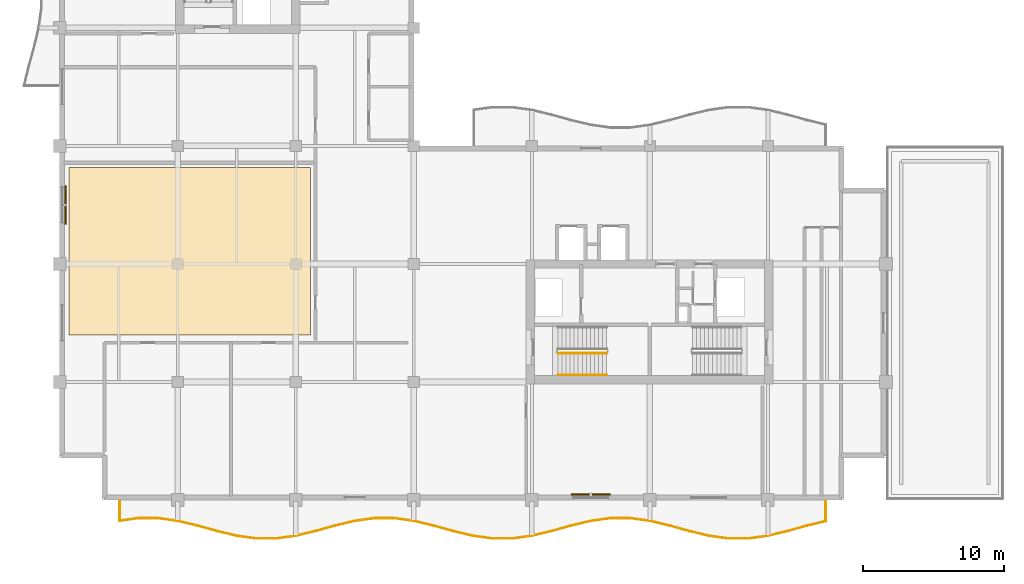
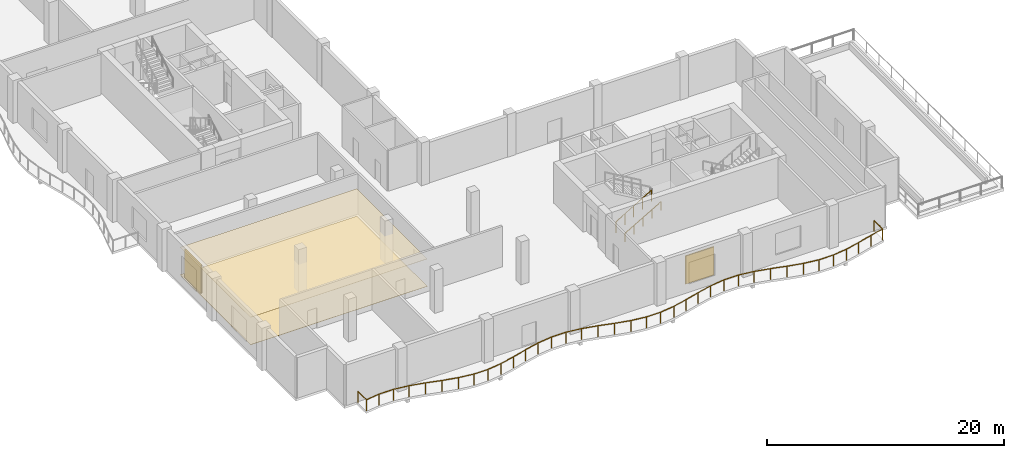
# One storey, part 12 of 16: 3 railings, 2 coverings, 2 shading devices.
"""IFC4 building model written with IfcOpenShell, lengths in metres."""

from ifc_helpers import new_model, si_unit, direction, frame, origin, origin_2d, place, context, subcontext, project, spatial, polyline, rectangle, circle, outline, extrude, material, layer, layer_set, type_object, element, save


model = new_model("IFC4")

# Units and contexts
model_context = context("Model", 3, precision=1e-05, world=origin(), true_north=direction((0.0, 1.0)))
body_context = subcontext(model_context, "Body", "Model", "MODEL_VIEW")
ifc_project = project(units=[si_unit("LENGTHUNIT", "METRE"), si_unit("AREAUNIT", "SQUARE_METRE"), si_unit("VOLUMEUNIT", "CUBIC_METRE"), si_unit("PLANEANGLEUNIT", "RADIAN"), si_unit("MASSUNIT", "GRAM", prefix="KILO")], contexts=[model_context])

# Site, building, storey
site_placement = place(None, origin())
site = spatial("IfcSite", under=ifc_project, at=site_placement, CompositionType="ELEMENT")
building_placement = place(site_placement, origin())
building = spatial("IfcBuilding", under=site, at=building_placement, Name="Koriwani Terraces Tower", CompositionType="ELEMENT")
storey_placement = place(building_placement, frame((0.0, 0.0, 286.0)))
storey = spatial("IfcBuildingStorey", under=building, at=storey_placement, Name="L71", CompositionType="ELEMENT", Elevation=286.0)

# Coverings
ifc_material_1 = material(Name="Fire-Rated Acoustic Gypsum Partition", Category="masonry")
ifc_layer_1 = layer(ifc_material_1, 0.02490234375, Name="Fire-Rated Acoustic Gypsum Partition")
ifc_layer_set_1 = layer_set([ifc_layer_1], Name="Fire-Rated Acoustic Gypsum Partition")
covering_type_1 = type_object("IfcCoveringType", Name="CEILING_ACOUSTIC_GYPSUM", PredefinedType="CEILING", material=ifc_layer_set_1)
covering_1_placement = place(storey_placement, frame((0.0, 0.0, 2.824951171875)))
element("IfcCovering", 1, at=covering_1_placement, inside=storey, type_object=covering_type_1, Name="L71 Suspended Acoustic Gypsum Ceiling", PredefinedType="CEILING", context=body_context, shape_type="SweptSolid", body=[
    extrude(outline(polyline([(9.050048828125, 20.14990234375), (9.050048828125, 32.050048828125), (26.25, 32.050048828125), (26.25, 20.14990234375), (9.050048828125, 20.14990234375)])), origin(), (0.0, 0.0, 1.0), 0.025146484375),
])
ifc_material_2 = material(Name="Polished Andean Slate Flooring", Category="masonry")
ifc_layer_2 = layer(ifc_material_2, 0.030029296875, Name="Polished Andean Slate Flooring")
ifc_layer_set_2 = layer_set([ifc_layer_2], Name="Polished Andean Slate Flooring")
covering_type_2 = type_object("IfcCoveringType", Name="FLOORING_ANDEAN_STONE", PredefinedType="FLOORING", material=ifc_layer_set_2)
covering_2_placement = place(storey_placement, origin())
element("IfcCovering", 2, at=covering_2_placement, inside=storey, type_object=covering_type_2, Name="L71 Polished Andean Slate Floor Finish", PredefinedType="FLOORING", context=body_context, shape_type="SweptSolid", body=[
    extrude(outline(polyline([(9.050048828125, 20.14990234375), (9.050048828125, 32.050048828125), (26.25, 32.050048828125), (26.25, 20.14990234375), (9.050048828125, 20.14990234375)])), origin(), (0.0, 0.0, 1.0), 0.030029296875),
])

# Railings
ifc_material_3 = material(Name="Steel ASTM A572 Grade 50", Category="steel")
railing_type_1 = type_object("IfcRailingType", Name="GUARD_BALUSTRADE_1150", PredefinedType="BALUSTRADE", material=ifc_material_3)
railing_1_placement = place(storey_placement, frame((12.679931640625, 8.320068359375, 0.0)))
element("IfcRailing", 3, at=railing_1_placement, inside=storey, type_object=railing_type_1, Name="L71 Balcony Perimeter Safety Balustrade (S)", PredefinedType="BALUSTRADE", context=body_context, shape_type="SweptSolid", body=[
    extrude(circle(Radius=0.02392578125, at=origin_2d()), frame((0.0, 0.0, 1.1259765625), z_axis=(0.0, -1.0, 0.0), x_axis=(1.0, 0.0, 0.0)), (0.0, 0.0, 1.0), 1.39794921875),
    extrude(circle(Radius=0.02392578125, at=origin_2d()), frame((0.0, -1.39794921875, 1.1259765625), z_axis=(0.99056178386, 0.137066963034, 0.0), x_axis=(-0.137066963034, 0.99056178386, 0.0)), (0.0, 0.0, 1.0), 1.326904296875),
    extrude(circle(Radius=0.02392578125, at=origin_2d()), frame((1.314453125, -1.216064453125, 1.1259765625), z_axis=(1.0, 0.0, 0.0), x_axis=(0.0, 1.0, 0.0)), (0.0, 0.0, 1.0), 1.4111328125),
    extrude(circle(Radius=0.02392578125, at=origin_2d()), frame((2.7255859375, -1.216064453125, 1.1259765625), z_axis=(0.990531206111, -0.137287762455, 0.0), x_axis=(0.137287762455, 0.990531206111, 0.0)), (0.0, 0.0, 1.0), 1.422607421875),
    extrude(circle(Radius=0.02392578125, at=origin_2d()), frame((4.134765625, -1.411376953125, 1.1259765625), z_axis=(0.972404167631, -0.233302667738, 0.0), x_axis=(0.233302667738, 0.972404167631, 0.0)), (0.0, 0.0, 1.0), 1.445068359375),
    extrude(circle(Radius=0.02392578125, at=origin_2d()), frame((5.5400390625, -1.74853515625, 1.1259765625), z_axis=(0.963650193341, -0.26716718525, 0.0), x_axis=(0.26716718525, 0.963650193341, 0.0)), (0.0, 0.0, 1.0), 1.452880859375),
    extrude(circle(Radius=0.02392578125, at=origin_2d()), frame((6.940185546875, -2.13671875, 1.1259765625), z_axis=(0.972353303141, -0.233514568862, 0.0), x_axis=(0.233514568862, 0.972353303141, 0.0)), (0.0, 0.0, 1.0), 1.434326171875),
    extrude(circle(Radius=0.02392578125, at=origin_2d()), frame((8.3349609375, -2.4716796875, 1.1259765625), z_axis=(0.990518583157, -0.137378806302, 0.0), x_axis=(0.137378806302, 0.990518583157, 0.0)), (0.0, 0.0, 1.0), 1.404052734375),
    extrude(circle(Radius=0.02392578125, at=origin_2d()), frame((9.7255859375, -2.66455078125, 1.1259765625), z_axis=(1.0, 0.0, 0.0), x_axis=(0.0, 1.0, 0.0)), (0.0, 0.0, 1.0), 1.388916015625),
    extrude(circle(Radius=0.02392578125, at=origin_2d()), frame((11.114501953125, -2.66455078125, 1.1259765625), z_axis=(0.990518583157, 0.137378806302, 0.0), x_axis=(-0.137378806302, 0.990518583157, 0.0)), (0.0, 0.0, 1.0), 1.404052734375),
    extrude(circle(Radius=0.02392578125, at=origin_2d()), frame((12.505126953125, -2.4716796875, 1.1259765625), z_axis=(0.972362581689, 0.23347592966, 0.0), x_axis=(-0.23347592966, 0.972362581689, 0.0)), (0.0, 0.0, 1.0), 1.4345703125),
    extrude(circle(Radius=0.02392578125, at=origin_2d()), frame((13.900146484375, -2.13671875, 1.1259765625), z_axis=(0.963638196753, 0.267210452187, 0.0), x_axis=(-0.267210452187, 0.963638196753, 0.0)), (0.0, 0.0, 1.0), 1.45263671875),
    extrude(circle(Radius=0.02392578125, at=origin_2d()), frame((15.300048828125, -1.74853515625, 1.1259765625), z_axis=(0.972404167631, 0.233302667738, 0.0), x_axis=(-0.233302667738, 0.972404167631, 0.0)), (0.0, 0.0, 1.0), 1.445068359375),
    extrude(circle(Radius=0.02392578125, at=origin_2d()), frame((16.705322265625, -1.411376953125, 1.1259765625), z_axis=(0.990531206111, 0.137287762455, 0.0), x_axis=(-0.137287762455, 0.990531206111, 0.0)), (0.0, 0.0, 1.0), 1.422607421875),
    extrude(circle(Radius=0.02392578125, at=origin_2d()), frame((18.114501953125, -1.216064453125, 1.1259765625), z_axis=(1.0, 0.0, 0.0), x_axis=(0.0, 1.0, 0.0)), (0.0, 0.0, 1.0), 1.4111328125),
    extrude(circle(Radius=0.02392578125, at=origin_2d()), frame((19.525634765625, -1.216064453125, 1.1259765625), z_axis=(0.990531206111, -0.137287762455, 0.0), x_axis=(0.137287762455, 0.990531206111, 0.0)), (0.0, 0.0, 1.0), 1.422607421875),
    extrude(circle(Radius=0.02392578125, at=origin_2d()), frame((20.934814453125, -1.411376953125, 1.1259765625), z_axis=(0.972404167631, -0.233302667738, 0.0), x_axis=(0.233302667738, 0.972404167631, 0.0)), (0.0, 0.0, 1.0), 1.445068359375),
    extrude(circle(Radius=0.02392578125, at=origin_2d()), frame((22.340087890625, -1.74853515625, 1.1259765625), z_axis=(0.963638196753, -0.267210452187, 0.0), x_axis=(0.267210452187, 0.963638196753, 0.0)), (0.0, 0.0, 1.0), 1.45263671875),
    extrude(circle(Radius=0.02392578125, at=origin_2d()), frame((23.739990234375, -2.13671875, 1.1259765625), z_axis=(0.972362581689, -0.23347592966, 0.0), x_axis=(0.23347592966, 0.972362581689, 0.0)), (0.0, 0.0, 1.0), 1.4345703125),
    extrude(circle(Radius=0.02392578125, at=origin_2d()), frame((25.135009765625, -2.4716796875, 1.1259765625), z_axis=(0.990518583157, -0.137378806302, 0.0), x_axis=(0.137378806302, 0.990518583157, 0.0)), (0.0, 0.0, 1.0), 1.404052734375),
    extrude(circle(Radius=0.02392578125, at=origin_2d()), frame((26.525634765625, -2.66455078125, 1.1259765625), z_axis=(1.0, 0.0, 0.0), x_axis=(0.0, 1.0, 0.0)), (0.0, 0.0, 1.0), 1.388916015625),
    extrude(circle(Radius=0.02392578125, at=origin_2d()), frame((27.91455078125, -2.66455078125, 1.1259765625), z_axis=(0.990518583157, 0.137378806302, 0.0), x_axis=(-0.137378806302, 0.990518583157, 0.0)), (0.0, 0.0, 1.0), 1.404052734375),
    extrude(circle(Radius=0.02392578125, at=origin_2d()), frame((29.30517578125, -2.4716796875, 1.1259765625), z_axis=(0.972353303141, 0.233514568862, 0.0), x_axis=(-0.233514568862, 0.972353303141, 0.0)), (0.0, 0.0, 1.0), 1.434326171875),
    extrude(circle(Radius=0.02392578125, at=origin_2d()), frame((30.699951171875, -2.13671875, 1.1259765625), z_axis=(0.963650193341, 0.26716718525, 0.0), x_axis=(-0.26716718525, 0.963650193341, 0.0)), (0.0, 0.0, 1.0), 1.452880859375),
    extrude(circle(Radius=0.02392578125, at=origin_2d()), frame((32.10009765625, -1.74853515625, 1.1259765625), z_axis=(0.972404167631, 0.233302667738, 0.0), x_axis=(-0.233302667738, 0.972404167631, 0.0)), (0.0, 0.0, 1.0), 1.445068359375),
    extrude(circle(Radius=0.02392578125, at=origin_2d()), frame((33.50537109375, -1.411376953125, 1.1259765625), z_axis=(0.990531206111, 0.137287762455, 0.0), x_axis=(-0.137287762455, 0.990531206111, 0.0)), (0.0, 0.0, 1.0), 1.422607421875),
    extrude(circle(Radius=0.02392578125, at=origin_2d()), frame((34.91455078125, -1.216064453125, 1.1259765625), z_axis=(1.0, 0.0, 0.0), x_axis=(0.0, 1.0, 0.0)), (0.0, 0.0, 1.0), 1.4111328125),
    extrude(circle(Radius=0.02392578125, at=origin_2d()), frame((36.32568359375, -1.216064453125, 1.1259765625), z_axis=(0.990531206111, -0.137287762455, 0.0), x_axis=(0.137287762455, 0.990531206111, 0.0)), (0.0, 0.0, 1.0), 1.422607421875),
    extrude(circle(Radius=0.02392578125, at=origin_2d()), frame((37.73486328125, -1.411376953125, 1.1259765625), z_axis=(0.972404167631, -0.233302667738, 0.0), x_axis=(0.233302667738, 0.972404167631, 0.0)), (0.0, 0.0, 1.0), 1.445068359375),
    extrude(circle(Radius=0.02392578125, at=origin_2d()), frame((39.14013671875, -1.74853515625, 1.1259765625), z_axis=(0.963638196753, -0.267210452187, 0.0), x_axis=(0.267210452187, 0.963638196753, 0.0)), (0.0, 0.0, 1.0), 1.45263671875),
    extrude(circle(Radius=0.02392578125, at=origin_2d()), frame((40.5400390625, -2.13671875, 1.1259765625), z_axis=(0.972362581689, -0.23347592966, 0.0), x_axis=(0.23347592966, 0.972362581689, 0.0)), (0.0, 0.0, 1.0), 1.4345703125),
    extrude(circle(Radius=0.02392578125, at=origin_2d()), frame((41.93505859375, -2.4716796875, 1.1259765625), z_axis=(0.990518583157, -0.137378806302, 0.0), x_axis=(0.137378806302, 0.990518583157, 0.0)), (0.0, 0.0, 1.0), 1.404052734375),
    extrude(circle(Radius=0.02392578125, at=origin_2d()), frame((43.32568359375, -2.66455078125, 1.1259765625), z_axis=(1.0, 0.0, 0.0), x_axis=(0.0, 1.0, 0.0)), (0.0, 0.0, 1.0), 1.388916015625),
    extrude(circle(Radius=0.02392578125, at=origin_2d()), frame((44.714599609375, -2.66455078125, 1.1259765625), z_axis=(0.990518583157, 0.137378806302, 0.0), x_axis=(-0.137378806302, 0.990518583157, 0.0)), (0.0, 0.0, 1.0), 1.404052734375),
    extrude(circle(Radius=0.02392578125, at=origin_2d()), frame((46.105224609375, -2.4716796875, 1.1259765625), z_axis=(0.972353303141, 0.233514568862, 0.0), x_axis=(-0.233514568862, 0.972353303141, 0.0)), (0.0, 0.0, 1.0), 1.434326171875),
    extrude(circle(Radius=0.02392578125, at=origin_2d()), frame((47.5, -2.13671875, 1.1259765625), z_axis=(0.963650193341, 0.26716718525, 0.0), x_axis=(-0.26716718525, 0.963650193341, 0.0)), (0.0, 0.0, 1.0), 1.452880859375),
    extrude(circle(Radius=0.02392578125, at=origin_2d()), frame((48.900146484375, -1.74853515625, 1.1259765625), z_axis=(0.972351908849, 0.233520374611, 0.0), x_axis=(-0.233520374611, 0.972351908849, 0.0)), (0.0, 0.0, 1.0), 1.3779296875),
    extrude(circle(Radius=0.02392578125, at=origin_2d()), frame((50.239990234375, -1.4267578125, 1.1259765625), z_axis=(0.0, 1.0, 0.0), x_axis=(-1.0, 0.0, 0.0)), (0.0, 0.0, 1.0), 1.4267578125),
    extrude(circle(Radius=0.02099609375, at=origin_2d()), origin(), (0.0, 0.0, 1.0), 1.101806640625),
    extrude(circle(Radius=0.02099609375, at=origin_2d()), frame((0.0, -1.39794921875, 0.0)), (0.0, 0.0, 1.0), 1.101806640625),
    extrude(circle(Radius=0.02099609375, at=origin_2d()), frame((1.314453125, -1.216064453125, 0.0)), (0.0, 0.0, 1.0), 1.101806640625),
    extrude(circle(Radius=0.02099609375, at=origin_2d()), frame((2.7255859375, -1.216064453125, 0.0)), (0.0, 0.0, 1.0), 1.101806640625),
    extrude(circle(Radius=0.02099609375, at=origin_2d()), frame((4.134765625, -1.411376953125, 0.0)), (0.0, 0.0, 1.0), 1.101806640625),
    extrude(circle(Radius=0.02099609375, at=origin_2d()), frame((5.5400390625, -1.74853515625, 0.0)), (0.0, 0.0, 1.0), 1.101806640625),
    extrude(circle(Radius=0.02099609375, at=origin_2d()), frame((6.940185546875, -2.13671875, 0.0)), (0.0, 0.0, 1.0), 1.101806640625),
    extrude(circle(Radius=0.02099609375, at=origin_2d()), frame((8.3349609375, -2.4716796875, 0.0)), (0.0, 0.0, 1.0), 1.101806640625),
    extrude(circle(Radius=0.02099609375, at=origin_2d()), frame((9.7255859375, -2.66455078125, 0.0)), (0.0, 0.0, 1.0), 1.101806640625),
    extrude(circle(Radius=0.02099609375, at=origin_2d()), frame((11.114501953125, -2.66455078125, 0.0)), (0.0, 0.0, 1.0), 1.101806640625),
    extrude(circle(Radius=0.02099609375, at=origin_2d()), frame((12.505126953125, -2.4716796875, 0.0)), (0.0, 0.0, 1.0), 1.101806640625),
    extrude(circle(Radius=0.02099609375, at=origin_2d()), frame((13.900146484375, -2.13671875, 0.0)), (0.0, 0.0, 1.0), 1.101806640625),
    extrude(circle(Radius=0.02099609375, at=origin_2d()), frame((15.300048828125, -1.74853515625, 0.0)), (0.0, 0.0, 1.0), 1.101806640625),
    extrude(circle(Radius=0.02099609375, at=origin_2d()), frame((16.705322265625, -1.411376953125, 0.0)), (0.0, 0.0, 1.0), 1.101806640625),
    extrude(circle(Radius=0.02099609375, at=origin_2d()), frame((18.114501953125, -1.216064453125, 0.0)), (0.0, 0.0, 1.0), 1.101806640625),
    extrude(circle(Radius=0.02099609375, at=origin_2d()), frame((19.525634765625, -1.216064453125, 0.0)), (0.0, 0.0, 1.0), 1.101806640625),
    extrude(circle(Radius=0.02099609375, at=origin_2d()), frame((20.934814453125, -1.411376953125, 0.0)), (0.0, 0.0, 1.0), 1.101806640625),
    extrude(circle(Radius=0.02099609375, at=origin_2d()), frame((22.340087890625, -1.74853515625, 0.0)), (0.0, 0.0, 1.0), 1.101806640625),
    extrude(circle(Radius=0.02099609375, at=origin_2d()), frame((23.739990234375, -2.13671875, 0.0)), (0.0, 0.0, 1.0), 1.101806640625),
    extrude(circle(Radius=0.02099609375, at=origin_2d()), frame((25.135009765625, -2.4716796875, 0.0)), (0.0, 0.0, 1.0), 1.101806640625),
    extrude(circle(Radius=0.02099609375, at=origin_2d()), frame((26.525634765625, -2.66455078125, 0.0)), (0.0, 0.0, 1.0), 1.101806640625),
    extrude(circle(Radius=0.02099609375, at=origin_2d()), frame((27.91455078125, -2.66455078125, 0.0)), (0.0, 0.0, 1.0), 1.101806640625),
    extrude(circle(Radius=0.02099609375, at=origin_2d()), frame((29.30517578125, -2.4716796875, 0.0)), (0.0, 0.0, 1.0), 1.101806640625),
    extrude(circle(Radius=0.02099609375, at=origin_2d()), frame((30.699951171875, -2.13671875, 0.0)), (0.0, 0.0, 1.0), 1.101806640625),
    extrude(circle(Radius=0.02099609375, at=origin_2d()), frame((32.10009765625, -1.74853515625, 0.0)), (0.0, 0.0, 1.0), 1.101806640625),
    extrude(circle(Radius=0.02099609375, at=origin_2d()), frame((33.50537109375, -1.411376953125, 0.0)), (0.0, 0.0, 1.0), 1.101806640625),
    extrude(circle(Radius=0.02099609375, at=origin_2d()), frame((34.91455078125, -1.216064453125, 0.0)), (0.0, 0.0, 1.0), 1.101806640625),
    extrude(circle(Radius=0.02099609375, at=origin_2d()), frame((36.32568359375, -1.216064453125, 0.0)), (0.0, 0.0, 1.0), 1.101806640625),
    extrude(circle(Radius=0.02099609375, at=origin_2d()), frame((37.73486328125, -1.411376953125, 0.0)), (0.0, 0.0, 1.0), 1.101806640625),
    extrude(circle(Radius=0.02099609375, at=origin_2d()), frame((39.14013671875, -1.74853515625, 0.0)), (0.0, 0.0, 1.0), 1.101806640625),
    extrude(circle(Radius=0.02099609375, at=origin_2d()), frame((40.5400390625, -2.13671875, 0.0)), (0.0, 0.0, 1.0), 1.101806640625),
    extrude(circle(Radius=0.02099609375, at=origin_2d()), frame((41.93505859375, -2.4716796875, 0.0)), (0.0, 0.0, 1.0), 1.101806640625),
    extrude(circle(Radius=0.02099609375, at=origin_2d()), frame((43.32568359375, -2.66455078125, 0.0)), (0.0, 0.0, 1.0), 1.101806640625),
    extrude(circle(Radius=0.02099609375, at=origin_2d()), frame((44.714599609375, -2.66455078125, 0.0)), (0.0, 0.0, 1.0), 1.101806640625),
    extrude(circle(Radius=0.02099609375, at=origin_2d()), frame((46.105224609375, -2.4716796875, 0.0)), (0.0, 0.0, 1.0), 1.101806640625),
    extrude(circle(Radius=0.02099609375, at=origin_2d()), frame((47.5, -2.13671875, 0.0)), (0.0, 0.0, 1.0), 1.101806640625),
    extrude(circle(Radius=0.02099609375, at=origin_2d()), frame((48.900146484375, -1.74853515625, 0.0)), (0.0, 0.0, 1.0), 1.101806640625),
    extrude(circle(Radius=0.02099609375, at=origin_2d()), frame((50.239990234375, -1.4267578125, 0.0)), (0.0, 0.0, 1.0), 1.101806640625),
    extrude(circle(Radius=0.02099609375, at=origin_2d()), frame((50.239990234375, 0.0, 0.0)), (0.0, 0.0, 1.0), 1.101806640625),
])
railing_type_2 = type_object("IfcRailingType", Name="GUARD_STAIR_WELL_1120", PredefinedType="GUARDRAIL", material=ifc_material_3)
railing_2_placement = place(storey_placement, frame((43.85009765625, 18.85009765625, 0.169189453125)))
element("IfcRailing", 4, at=railing_2_placement, inside=storey, type_object=railing_type_2, Name="L71 ST-E1 stair guard 1", PredefinedType="GUARDRAIL", context=body_context, shape_type="SweptSolid", body=[
    extrude(circle(Radius=0.02392578125, at=origin_2d()), frame((0.0, 0.0, 1.1259765625), z_axis=(0.863695377172, 0.0, 0.504014181796), x_axis=(0.0, 1.0, 0.0)), (0.0, 0.0, 1.0), 4.029296875),
    extrude(circle(Radius=0.02099609375, at=origin_2d()), origin(), (0.0, 0.0, 1.0), 1.101806640625),
    extrude(circle(Radius=0.02099609375, at=origin_2d()), frame((0.8701171875, 0.0, 0.5078125)), (0.0, 0.0, 1.0), 1.101806640625),
    extrude(circle(Radius=0.02099609375, at=origin_2d()), frame((1.739990234375, 0.0, 1.015380859375)), (0.0, 0.0, 1.0), 1.101806640625),
    extrude(circle(Radius=0.02099609375, at=origin_2d()), frame((2.60986328125, 0.0, 1.52294921875)), (0.0, 0.0, 1.0), 1.101806640625),
    extrude(circle(Radius=0.02099609375, at=origin_2d()), frame((3.47998046875, 0.0, 2.03076171875)), (0.0, 0.0, 1.0), 1.101806640625),
])
railing_type_3 = type_object("IfcRailingType", Name="HANDRAIL_STAIR_920", PredefinedType="HANDRAIL", material=ifc_material_3)
railing_3_placement = place(storey_placement, frame((43.85009765625, 17.300048828125, 0.169189453125)))
element("IfcRailing", 5, at=railing_3_placement, inside=storey, type_object=railing_type_3, Name="L71 ST-E1 stair handrail 1", PredefinedType="HANDRAIL", context=body_context, shape_type="SweptSolid", body=[
    extrude(circle(Radius=0.02392578125, at=origin_2d()), frame((0.0, 0.0, 0.8759765625), z_axis=(0.863695377172, 0.0, 0.504014181796), x_axis=(0.0, 1.0, 0.0)), (0.0, 0.0, 1.0), 4.029296875),
    extrude(circle(Radius=0.02099609375, at=origin_2d()), origin(), (0.0, 0.0, 1.0), 0.851806640625),
    extrude(circle(Radius=0.02099609375, at=origin_2d()), frame((0.8701171875, 0.0, 0.5078125)), (0.0, 0.0, 1.0), 0.851806640625),
    extrude(circle(Radius=0.02099609375, at=origin_2d()), frame((1.739990234375, 0.0, 1.015380859375)), (0.0, 0.0, 1.0), 0.851806640625),
    extrude(circle(Radius=0.02099609375, at=origin_2d()), frame((2.60986328125, 0.0, 1.52294921875)), (0.0, 0.0, 1.0), 0.851806640625),
    extrude(circle(Radius=0.02099609375, at=origin_2d()), frame((3.47998046875, 0.0, 2.03076171875)), (0.0, 0.0, 1.0), 0.851806640625),
])

# Shading devices
ifc_material_4 = material(Name="Extruded Terracotta Clay", Category="masonry")
ifc_layer_3 = layer(ifc_material_4, 0.1201171875, Name="Extruded Terracotta Clay")
ifc_layer_set_3 = layer_set([ifc_layer_3], Name="Extruded Terracotta Clay")
shading_device_type = type_object("IfcShadingDeviceType", Name="TERRACOTTA_BAGUETTE_SCREEN_2800", PredefinedType="USERDEFINED", material=ifc_layer_set_3)
for number, where, z_axis, x_axis, name in (
    (6, (8.804931640625, 29.39990234375, 0.635009765625), (0.0, 0.0, 1.0), (0.0, 1.0, 0.0), "L71 Extruded Terracotta Baguette Screen (W-6)"),
    (7, (46.199951171875, 8.804931640625, 0.635009765625), (0.0, 0.0, 1.0), (-1.0, 0.0, 0.0), "L71 Extruded Terracotta Baguette Screen (S-12)"),
):
    element("IfcShadingDevice", number, at=place(storey_placement, frame(where, z_axis=z_axis, x_axis=x_axis)), inside=storey, type_object=shading_device_type, Name=name, ObjectType="BAGUETTE", PredefinedType="USERDEFINED", context=body_context, shape_type="SweptSolid", body=[
        extrude(rectangle(XDim=2.760009765625, YDim=0.1201171875, at=origin_2d()), origin(), (0.0, 0.0, 1.0), 2.89990234375),
    ])

save(model, "model.ifc")
